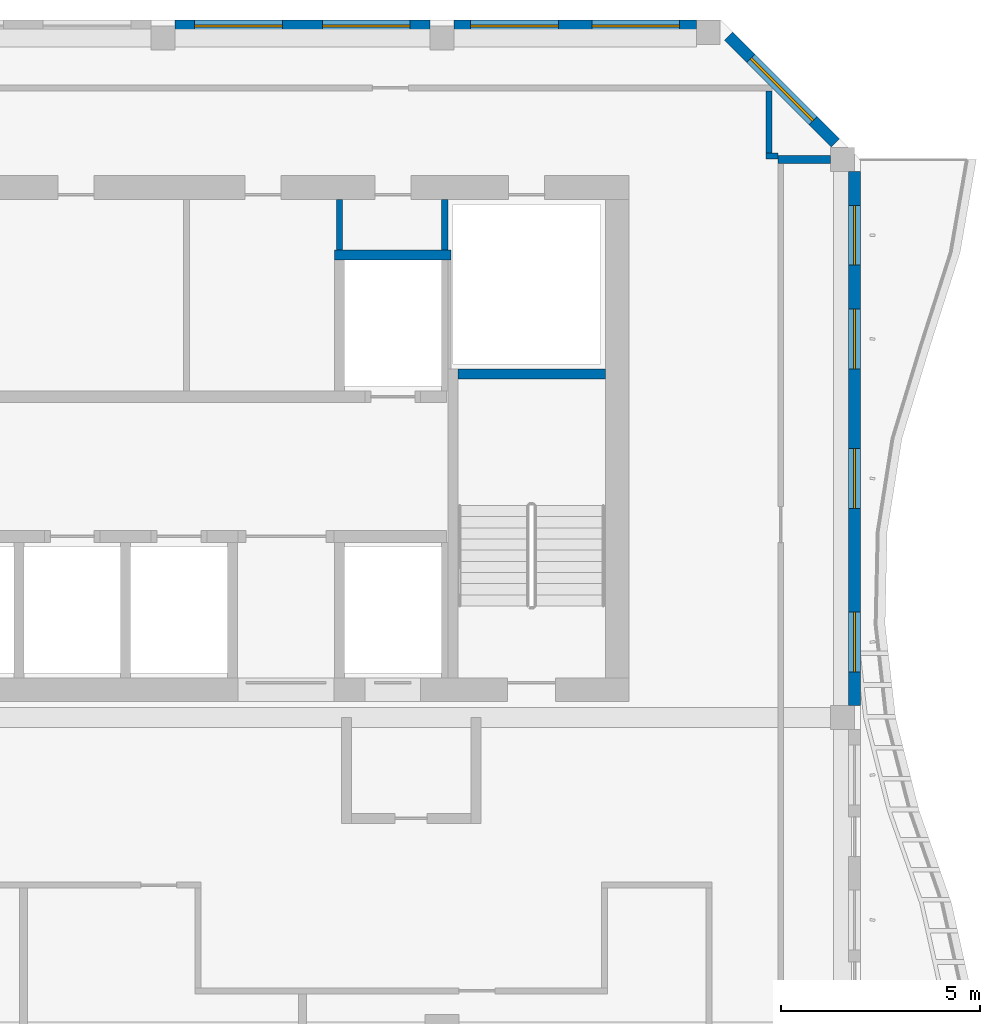
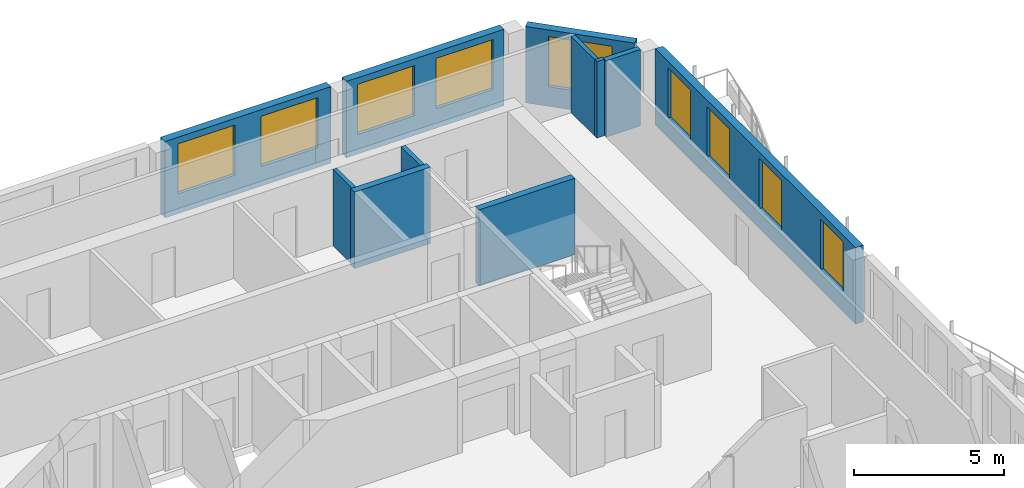
# One storey, part 8 of 18: 11 walls, 9 windows, 9 openings.
"""IFC4 building model written with IfcOpenShell, lengths in metres."""

from ifc_helpers import new_model, si_unit, direction, frame, frame_2d, origin, place, context, subcontext, project, spatial, rectangle, extrude, source, transform, mapped, material, layer, layer_set, type_object, element, fill, save


model = new_model("IFC4")

# Units and contexts
model_context = context("Model", 3, precision=1e-05, world=origin(), true_north=direction((0.0, 1.0)))
body_context = subcontext(model_context, "Body", "Model", "MODEL_VIEW")
ifc_project = project(units=[si_unit("LENGTHUNIT", "METRE"), si_unit("AREAUNIT", "SQUARE_METRE"), si_unit("VOLUMEUNIT", "CUBIC_METRE"), si_unit("PLANEANGLEUNIT", "RADIAN"), si_unit("MASSUNIT", "GRAM", prefix="KILO")], contexts=[model_context])

# Site, building, storey
site_placement = place(None, origin())
site = spatial("IfcSite", under=ifc_project, at=site_placement, CompositionType="ELEMENT")
building_placement = place(site_placement, origin())
building = spatial("IfcBuilding", under=site, at=building_placement, Name="Kilnfold Tower and Market Hall", CompositionType="ELEMENT")
storey_placement = place(building_placement, frame((0.0, 0.0, 312.0)))
storey = spatial("IfcBuildingStorey", under=building, at=storey_placement, Name="L78", CompositionType="ELEMENT", Elevation=312.0)

# Walls
ifc_material_1 = material(Name="Gypsum board on steel studs", Category="steel")
ifc_layer_1 = layer(ifc_material_1, 0.14990234375)
ifc_layer_set_1 = layer_set([ifc_layer_1], Name="Gypsum board on steel studs")
wall_type_1 = type_object("IfcWallType", Name="WALL CORRIDOR 150", PredefinedType="PARTITIONING", material=ifc_layer_set_1)
wall_1_placement = place(storey_placement, frame((21.199951171875, 22.1630859375, 0.0), z_axis=(0.0, 0.0, 1.0), x_axis=(0.0, 1.0, 0.0)))
element("IfcWall", 1, at=wall_1_placement, inside=storey, type_object=wall_type_1, Name="Partition LY46.8", PredefinedType="PARTITIONING", context=body_context, shape_type="SweptSolid", body=[
    extrude(rectangle(XDim=1.56201171875, YDim=0.14990234375, at=frame_2d((0.781005859375, 0.0))), origin(), (0.0, 0.0, 1.0), 3.1201171875),
])
wall_2_placement = place(storey_placement, frame((21.427001953125, 22.087890625, 0.0), z_axis=(0.0, 0.0, 1.0), x_axis=(-1.0, 0.0, 0.0)))
element("IfcWall", 2, at=wall_2_placement, inside=storey, type_object=wall_type_1, Name="Partition LY46.9", PredefinedType="PARTITIONING", context=body_context, shape_type="SweptSolid", body=[
    extrude(rectangle(XDim=0.302001953125, YDim=0.14990234375, at=frame_2d((0.15087890625, 0.0))), origin(), (0.0, 0.0, 1.0), 3.1201171875),
])
ifc_material_2 = material(Name="Gypsum board on steel studs", Category="steel")
ifc_layer_2 = layer(ifc_material_2, 0.199951171875)
ifc_layer_set_2 = layer_set([ifc_layer_2], Name="Gypsum board on steel studs")
wall_type_2 = type_object("IfcWallType", Name="WALL PARTY 200", PredefinedType="PARTITIONING", material=ifc_layer_set_2)
wall_3_placement = place(storey_placement, frame((22.75, 22.0, 0.0), z_axis=(0.0, 0.0, 1.0), x_axis=(-1.0, 0.0, 0.0)))
element("IfcWall", 3, at=wall_3_placement, inside=storey, type_object=wall_type_2, Name="Partition LY46.58", PredefinedType="PARTITIONING", context=body_context, shape_type="SweptSolid", body=[
    extrude(rectangle(XDim=1.322998046875, YDim=0.199951171875, at=frame_2d((0.66162109375, 0.0))), origin(), (0.0, 0.0, 1.0), 3.1201171875),
])
ifc_material_3 = material(Name="Concrete C50", Category="concrete")
ifc_layer_3 = layer(ifc_material_3, 0.25)
ifc_layer_set_3 = layer_set([ifc_layer_3], Name="Concrete C50")
wall_type_3 = type_object("IfcWallType", Name="CORE WALL 250 C50", PredefinedType="SHEAR", material=ifc_layer_set_3)
shared_shape_1 = source(origin(), body_context, "Body", "SweptSolid", [
    extrude(rectangle(XDim=3.7001953125, YDim=0.25, at=frame_2d((1.85009765625, 0.0))), origin(), (0.0, 0.0, 1.0), 3.1201171875),
])
wall_4_placement = place(storey_placement, frame((13.39990234375, 16.625, 0.0), z_axis=(0.0, 0.0, 1.0), x_axis=(1.0, 0.0, 0.0)))
element("IfcWall", 4, at=wall_4_placement, inside=storey, type_object=wall_type_3, Name="Stair enclosure ST2", PredefinedType="SHEAR", context=body_context, shape_type="MappedRepresentation", body=[
    mapped(shared_shape_1, transform((0.0, 0.0, 0.0))),
])

# Wall, openings, windows
ifc_material_4 = material(Name="Precast concrete C50/60", Category="concrete")
ifc_layer_4 = layer(ifc_material_4, 0.300048828125)
ifc_layer_set_4 = layer_set([ifc_layer_4], Name="Precast concrete C50/60")
wall_type_4 = type_object("IfcWallType", Name="PRECAST WALL 300", PredefinedType="SOLIDWALL", material=ifc_layer_set_4)
shared_shape_2 = source(origin(), body_context, "Body", "SweptSolid", [
    extrude(rectangle(XDim=6.39990234375, YDim=0.300048828125, at=frame_2d((3.199951171875, 0.0))), origin(), (0.0, 0.0, 1.0), 3.1201171875),
])
wall_5_placement = place(storey_placement, frame((12.699951171875, 25.35009765625, 0.0), z_axis=(0.0, 0.0, 1.0), x_axis=(-1.0, 0.0, 0.0)))
wall_5 = element("IfcWall", 5, at=wall_5_placement, inside=storey, type_object=wall_type_4, Name="External wall L78 N", PredefinedType="SOLIDWALL", context=body_context, shape_type="MappedRepresentation", body=[
    mapped(shared_shape_2, transform((0.0, 0.0, 0.0))),
])
opening_1_placement = place(wall_5_placement, frame((0.5, 0.0, 0.800048828125)))
opening_1 = element("IfcOpeningElement", 6, at=opening_1_placement, cuts=wall_5, Name="Opening W3", PredefinedType="OPENING", context=body_context, shape_type="SweptSolid", body=[
    extrude(rectangle(XDim=2.199951171875, YDim=2.050048828125, at=frame_2d((1.10009765625, 1.02490234375))), frame((0.0, 0.16015625, 0.0), z_axis=(0.0, -1.0, 0.0), x_axis=(1.0, 0.0, 0.0)), (0.0, 0.0, 1.0), 0.320068359375),
])
opening_2_placement = place(wall_5_placement, frame((3.699951171875, 0.0, 0.800048828125)))
opening_2 = element("IfcOpeningElement", 7, at=opening_2_placement, cuts=wall_5, Name="Opening W3", PredefinedType="OPENING", context=body_context, shape_type="SweptSolid", body=[
    extrude(rectangle(XDim=2.199951171875, YDim=2.050048828125, at=frame_2d((1.10009765625, 1.02490234375))), frame((0.0, 0.16015625, 0.0), z_axis=(0.0, -1.0, 0.0), x_axis=(1.0, 0.0, 0.0)), (0.0, 0.0, 1.0), 0.320068359375),
])
ifc_material_5 = material(Name="Aluminium frame and double glazing", Category="aluminium")
window_type_1 = type_object("IfcWindowType", Name="WINDOW W3 2200X2050", PartitioningType="SINGLE_PANEL", PredefinedType="WINDOW", material=ifc_material_5)
window_1_placement = place(opening_1_placement, origin())
window_1 = element("IfcWindow", 8, at=window_1_placement, inside=storey, type_object=window_type_1, Name="Window W3 L78 N-1", OverallHeight=2.050048828125, OverallWidth=2.199951171875, PartitioningType="SINGLE_PANEL", PredefinedType="WINDOW", context=body_context, shape_type="SweptSolid", body=[
    extrude(rectangle(XDim=2.199951171875, YDim=2.050048828125, at=frame_2d((1.10009765625, 1.02490234375))), frame((0.0, 0.030029296875, 0.0), z_axis=(0.0, -1.0, 0.0), x_axis=(1.0, 0.0, 0.0)), (0.0, 0.0, 1.0), 0.06005859375),
])
fill(opening_1, window_1)
window_2_placement = place(opening_2_placement, origin())
window_2 = element("IfcWindow", 9, at=window_2_placement, inside=storey, type_object=window_type_1, Name="Window W3 L78 N-2", OverallHeight=2.050048828125, OverallWidth=2.199951171875, PartitioningType="SINGLE_PANEL", PredefinedType="WINDOW", context=body_context, shape_type="SweptSolid", body=[
    extrude(rectangle(XDim=2.199951171875, YDim=2.050048828125, at=frame_2d((1.10009765625, 1.02490234375))), frame((0.0, 0.030029296875, 0.0), z_axis=(0.0, -1.0, 0.0), x_axis=(1.0, 0.0, 0.0)), (0.0, 0.0, 1.0), 0.06005859375),
])
fill(opening_2, window_2)

# Wall, opening, window
shared_shape_3 = source(origin(), body_context, "Body", "SweptSolid", [
    extrude(rectangle(XDim=3.783203125, YDim=0.300048828125, at=frame_2d((1.8916015625, 0.0))), origin(), (0.0, 0.0, 1.0), 3.1201171875),
])
wall_6_placement = place(storey_placement, frame((22.868896484375, 22.4189453125, 0.0), z_axis=(0.0, 0.0, 1.0), x_axis=(-0.707106781187, 0.707106781187, 0.0)))
wall_6 = element("IfcWall", 10, at=wall_6_placement, inside=storey, type_object=wall_type_4, Name="External wall L78 NE", PredefinedType="SOLIDWALL", context=body_context, shape_type="MappedRepresentation", body=[
    mapped(shared_shape_3, transform((0.0, 0.0, 0.0))),
])
opening_3_placement = place(wall_6_placement, frame((0.79150390625, 0.0, 0.800048828125)))
opening_3 = element("IfcOpeningElement", 11, at=opening_3_placement, cuts=wall_6, Name="Opening W3", PredefinedType="OPENING", context=body_context, shape_type="SweptSolid", body=[
    extrude(rectangle(XDim=2.199951171875, YDim=2.050048828125, at=frame_2d((1.10009765625, 1.02490234375))), frame((0.0, 0.16015625, 0.0), z_axis=(0.0, -1.0, 0.0), x_axis=(1.0, 0.0, 0.0)), (0.0, 0.0, 1.0), 0.320068359375),
])
window_3_placement = place(opening_3_placement, origin())
window_3 = element("IfcWindow", 12, at=window_3_placement, inside=storey, type_object=window_type_1, Name="Window W3 L78 NE-1", OverallHeight=2.050048828125, OverallWidth=2.199951171875, PartitioningType="SINGLE_PANEL", PredefinedType="WINDOW", context=body_context, shape_type="SweptSolid", body=[
    extrude(rectangle(XDim=2.199951171875, YDim=2.050048828125, at=frame_2d((1.10009765625, 1.02490234375))), frame((0.0, 0.030029296875, 0.0), z_axis=(0.0, -1.0, 0.0), x_axis=(1.0, 0.0, 0.0)), (0.0, 0.0, 1.0), 0.06005859375),
])
fill(opening_3, window_3)

# Wall, openings, windows
shared_shape_4 = source(origin(), body_context, "Body", "SweptSolid", [
    extrude(rectangle(XDim=13.39990234375, YDim=0.300048828125, at=frame_2d((6.699951171875, 0.0))), origin(), (0.0, 0.0, 1.0), 3.1201171875),
])
wall_7_placement = place(storey_placement, frame((23.35009765625, 8.300048828125, 0.0), z_axis=(0.0, 0.0, 1.0), x_axis=(0.0, 1.0, 0.0)))
wall_7 = element("IfcWall", 13, at=wall_7_placement, inside=storey, type_object=wall_type_4, Name="External wall L78 E", PredefinedType="SOLIDWALL", context=body_context, shape_type="MappedRepresentation", body=[
    mapped(shared_shape_4, transform((0.0, 0.0, 0.0))),
])
opening_4_placement = place(wall_7_placement, frame((0.85009765625, 0.0, 0.800048828125)))
opening_4 = element("IfcOpeningElement", 14, at=opening_4_placement, cuts=wall_7, Name="Opening W5", PredefinedType="OPENING", context=body_context, shape_type="SweptSolid", body=[
    extrude(rectangle(XDim=1.5, YDim=2.050048828125, at=frame_2d((0.75, 1.02490234375))), frame((0.0, 0.16015625, 0.0), z_axis=(0.0, -1.0, 0.0), x_axis=(1.0, 0.0, 0.0)), (0.0, 0.0, 1.0), 0.320068359375),
])
opening_5_placement = place(wall_7_placement, frame((4.949951171875, 0.0, 0.800048828125)))
opening_5 = element("IfcOpeningElement", 15, at=opening_5_placement, cuts=wall_7, Name="Opening W5", PredefinedType="OPENING", context=body_context, shape_type="SweptSolid", body=[
    extrude(rectangle(XDim=1.5, YDim=2.050048828125, at=frame_2d((0.75, 1.02490234375))), frame((0.0, 0.16015625, 0.0), z_axis=(0.0, -1.0, 0.0), x_axis=(1.0, 0.0, 0.0)), (0.0, 0.0, 1.0), 0.320068359375),
])
opening_6_placement = place(wall_7_placement, frame((8.449951171875, 0.0, 0.800048828125)))
opening_6 = element("IfcOpeningElement", 16, at=opening_6_placement, cuts=wall_7, Name="Opening W5", PredefinedType="OPENING", context=body_context, shape_type="SweptSolid", body=[
    extrude(rectangle(XDim=1.5, YDim=2.050048828125, at=frame_2d((0.75, 1.02490234375))), frame((0.0, 0.16015625, 0.0), z_axis=(0.0, -1.0, 0.0), x_axis=(1.0, 0.0, 0.0)), (0.0, 0.0, 1.0), 0.320068359375),
])
opening_7_placement = place(wall_7_placement, frame((11.050048828125, 0.0, 0.800048828125)))
opening_7 = element("IfcOpeningElement", 17, at=opening_7_placement, cuts=wall_7, Name="Opening W5", PredefinedType="OPENING", context=body_context, shape_type="SweptSolid", body=[
    extrude(rectangle(XDim=1.5, YDim=2.050048828125, at=frame_2d((0.75, 1.02490234375))), frame((0.0, 0.16015625, 0.0), z_axis=(0.0, -1.0, 0.0), x_axis=(1.0, 0.0, 0.0)), (0.0, 0.0, 1.0), 0.320068359375),
])
ifc_material_6 = material(Name="Aluminium frame and double glazing", Category="aluminium")
window_type_2 = type_object("IfcWindowType", Name="WINDOW W5 1500X2050", PartitioningType="SINGLE_PANEL", PredefinedType="WINDOW", material=ifc_material_6)
window_4_placement = place(opening_4_placement, origin())
window_4 = element("IfcWindow", 18, at=window_4_placement, inside=storey, type_object=window_type_2, Name="Window W5 L78 E-1", OverallHeight=2.050048828125, OverallWidth=1.5, PartitioningType="SINGLE_PANEL", PredefinedType="WINDOW", context=body_context, shape_type="SweptSolid", body=[
    extrude(rectangle(XDim=1.5, YDim=2.050048828125, at=frame_2d((0.75, 1.02490234375))), frame((0.0, 0.030029296875, 0.0), z_axis=(0.0, -1.0, 0.0), x_axis=(1.0, 0.0, 0.0)), (0.0, 0.0, 1.0), 0.06005859375),
])
fill(opening_4, window_4)
window_5_placement = place(opening_5_placement, origin())
window_5 = element("IfcWindow", 19, at=window_5_placement, inside=storey, type_object=window_type_2, Name="Window W5 L78 E-2", OverallHeight=2.050048828125, OverallWidth=1.5, PartitioningType="SINGLE_PANEL", PredefinedType="WINDOW", context=body_context, shape_type="SweptSolid", body=[
    extrude(rectangle(XDim=1.5, YDim=2.050048828125, at=frame_2d((0.75, 1.02490234375))), frame((0.0, 0.030029296875, 0.0), z_axis=(0.0, -1.0, 0.0), x_axis=(1.0, 0.0, 0.0)), (0.0, 0.0, 1.0), 0.06005859375),
])
fill(opening_5, window_5)
window_6_placement = place(opening_6_placement, origin())
window_6 = element("IfcWindow", 20, at=window_6_placement, inside=storey, type_object=window_type_2, Name="Window W5 L78 E-3", OverallHeight=2.050048828125, OverallWidth=1.5, PartitioningType="SINGLE_PANEL", PredefinedType="WINDOW", context=body_context, shape_type="SweptSolid", body=[
    extrude(rectangle(XDim=1.5, YDim=2.050048828125, at=frame_2d((0.75, 1.02490234375))), frame((0.0, 0.030029296875, 0.0), z_axis=(0.0, -1.0, 0.0), x_axis=(1.0, 0.0, 0.0)), (0.0, 0.0, 1.0), 0.06005859375),
])
fill(opening_6, window_6)
window_7_placement = place(opening_7_placement, origin())
window_7 = element("IfcWindow", 21, at=window_7_placement, inside=storey, type_object=window_type_2, Name="Window W5 L78 E-4", OverallHeight=2.050048828125, OverallWidth=1.5, PartitioningType="SINGLE_PANEL", PredefinedType="WINDOW", context=body_context, shape_type="SweptSolid", body=[
    extrude(rectangle(XDim=1.5, YDim=2.050048828125, at=frame_2d((0.75, 1.02490234375))), frame((0.0, 0.030029296875, 0.0), z_axis=(0.0, -1.0, 0.0), x_axis=(1.0, 0.0, 0.0)), (0.0, 0.0, 1.0), 0.06005859375),
])
fill(opening_7, window_7)

shared_shape_5 = source(origin(), body_context, "Body", "SweptSolid", [
    extrude(rectangle(XDim=6.081787109375, YDim=0.300048828125, at=frame_2d((3.041015625, 0.0))), origin(), (0.0, 0.0, 1.0), 3.1201171875),
])
wall_8_placement = place(storey_placement, frame((19.3818359375, 25.35009765625, 0.0), z_axis=(0.0, 0.0, 1.0), x_axis=(-1.0, 0.0, 0.0)))
wall_8 = element("IfcWall", 22, at=wall_8_placement, inside=storey, type_object=wall_type_4, Name="External wall L78 N", PredefinedType="SOLIDWALL", context=body_context, shape_type="MappedRepresentation", body=[
    mapped(shared_shape_5, transform((0.0, 0.0, 0.0))),
])
opening_8_placement = place(wall_8_placement, frame((0.42041015625, 0.0, 0.800048828125)))
opening_8 = element("IfcOpeningElement", 23, at=opening_8_placement, cuts=wall_8, Name="Opening W3", PredefinedType="OPENING", context=body_context, shape_type="SweptSolid", body=[
    extrude(rectangle(XDim=2.199951171875, YDim=2.050048828125, at=frame_2d((1.10009765625, 1.02490234375))), frame((0.0, 0.16015625, 0.0), z_axis=(0.0, -1.0, 0.0), x_axis=(1.0, 0.0, 0.0)), (0.0, 0.0, 1.0), 0.320068359375),
])
opening_9_placement = place(wall_8_placement, frame((3.461181640625, 0.0, 0.800048828125)))
opening_9 = element("IfcOpeningElement", 24, at=opening_9_placement, cuts=wall_8, Name="Opening W3", PredefinedType="OPENING", context=body_context, shape_type="SweptSolid", body=[
    extrude(rectangle(XDim=2.199951171875, YDim=2.050048828125, at=frame_2d((1.10009765625, 1.02490234375))), frame((0.0, 0.16015625, 0.0), z_axis=(0.0, -1.0, 0.0), x_axis=(1.0, 0.0, 0.0)), (0.0, 0.0, 1.0), 0.320068359375),
])
window_8_placement = place(opening_8_placement, origin())
window_8 = element("IfcWindow", 25, at=window_8_placement, inside=storey, type_object=window_type_1, Name="Window W3 L78 N-1", OverallHeight=2.050048828125, OverallWidth=2.199951171875, PartitioningType="SINGLE_PANEL", PredefinedType="WINDOW", context=body_context, shape_type="SweptSolid", body=[
    extrude(rectangle(XDim=2.199951171875, YDim=2.050048828125, at=frame_2d((1.10009765625, 1.02490234375))), frame((0.0, 0.030029296875, 0.0), z_axis=(0.0, -1.0, 0.0), x_axis=(1.0, 0.0, 0.0)), (0.0, 0.0, 1.0), 0.06005859375),
])
fill(opening_8, window_8)
window_9_placement = place(opening_9_placement, origin())
window_9 = element("IfcWindow", 26, at=window_9_placement, inside=storey, type_object=window_type_1, Name="Window W3 L78 N-2", OverallHeight=2.050048828125, OverallWidth=2.199951171875, PartitioningType="SINGLE_PANEL", PredefinedType="WINDOW", context=body_context, shape_type="SweptSolid", body=[
    extrude(rectangle(XDim=2.199951171875, YDim=2.050048828125, at=frame_2d((1.10009765625, 1.02490234375))), frame((0.0, 0.030029296875, 0.0), z_axis=(0.0, -1.0, 0.0), x_axis=(1.0, 0.0, 0.0)), (0.0, 0.0, 1.0), 0.06005859375),
])
fill(opening_9, window_9)

# Walls
ifc_material_7 = material(Name="Gypsum shaft wall system")
ifc_layer_5 = layer(ifc_material_7, 0.1650390625)
ifc_layer_set_5 = layer_set([ifc_layer_5], Name="Gypsum shaft wall system")
wall_type_5 = type_object("IfcWallType", Name="SHAFT WALL 165", PredefinedType="PARTITIONING", material=ifc_layer_set_5)
shared_shape_6 = source(origin(), body_context, "Body", "SweptSolid", [
    extrude(rectangle(XDim=1.27490234375, YDim=0.1650390625, at=frame_2d((0.637451171875, 0.0))), origin(), (0.0, 0.0, 1.0), 3.1201171875),
])
wall_9_placement = place(storey_placement, frame((13.0673828125, 19.72509765625, 0.0), z_axis=(0.0, 0.0, 1.0), x_axis=(0.0, 1.0, 0.0)))
element("IfcWall", 27, at=wall_9_placement, inside=storey, type_object=wall_type_5, Name="Lift shaft wall", PredefinedType="PARTITIONING", context=body_context, shape_type="MappedRepresentation", body=[
    mapped(shared_shape_6, transform((0.0, 0.0, 0.0))),
])
ifc_material_8 = material(Name="Gypsum shaft wall system")
ifc_layer_6 = layer(ifc_material_8, 0.14990234375)
ifc_layer_set_6 = layer_set([ifc_layer_6], Name="Gypsum shaft wall system")
wall_type_6 = type_object("IfcWallType", Name="ROOM WALL 150", PredefinedType="PARTITIONING", material=ifc_layer_set_6)
shared_shape_7 = source(origin(), body_context, "Body", "SweptSolid", [
    extrude(rectangle(XDim=1.27490234375, YDim=0.14990234375, at=frame_2d((0.637451171875, 0.0))), origin(), (0.0, 0.0, 1.0), 3.1201171875),
])
wall_10_placement = place(storey_placement, frame((10.429931640625, 19.72509765625, 0.0), z_axis=(0.0, 0.0, 1.0), x_axis=(0.0, 1.0, 0.0)))
element("IfcWall", 28, at=wall_10_placement, inside=storey, type_object=wall_type_6, Name="Core room wall", PredefinedType="PARTITIONING", context=body_context, shape_type="MappedRepresentation", body=[
    mapped(shared_shape_7, transform((0.0, 0.0, 0.0))),
])
ifc_material_9 = material(Name="Gypsum shaft wall system")
ifc_layer_7 = layer(ifc_material_9, 0.25)
ifc_layer_set_7 = layer_set([ifc_layer_7], Name="Gypsum shaft wall system")
wall_type_7 = type_object("IfcWallType", Name="SHAFT WALL 250", PredefinedType="PARTITIONING", material=ifc_layer_set_7)
shared_shape_8 = source(origin(), body_context, "Body", "SweptSolid", [
    extrude(rectangle(XDim=2.93017578125, YDim=0.25, at=frame_2d((1.465087890625, 0.0))), origin(), (0.0, 0.0, 1.0), 3.1201171875),
])
wall_11_placement = place(storey_placement, frame((10.304931640625, 19.60009765625, 0.0), z_axis=(0.0, 0.0, 1.0), x_axis=(1.0, 0.0, 0.0)))
element("IfcWall", 29, at=wall_11_placement, inside=storey, type_object=wall_type_7, Name="Lift shaft wall", PredefinedType="PARTITIONING", context=body_context, shape_type="MappedRepresentation", body=[
    mapped(shared_shape_8, transform((0.0, 0.0, 0.0))),
])

save(model, "model.ifc")
